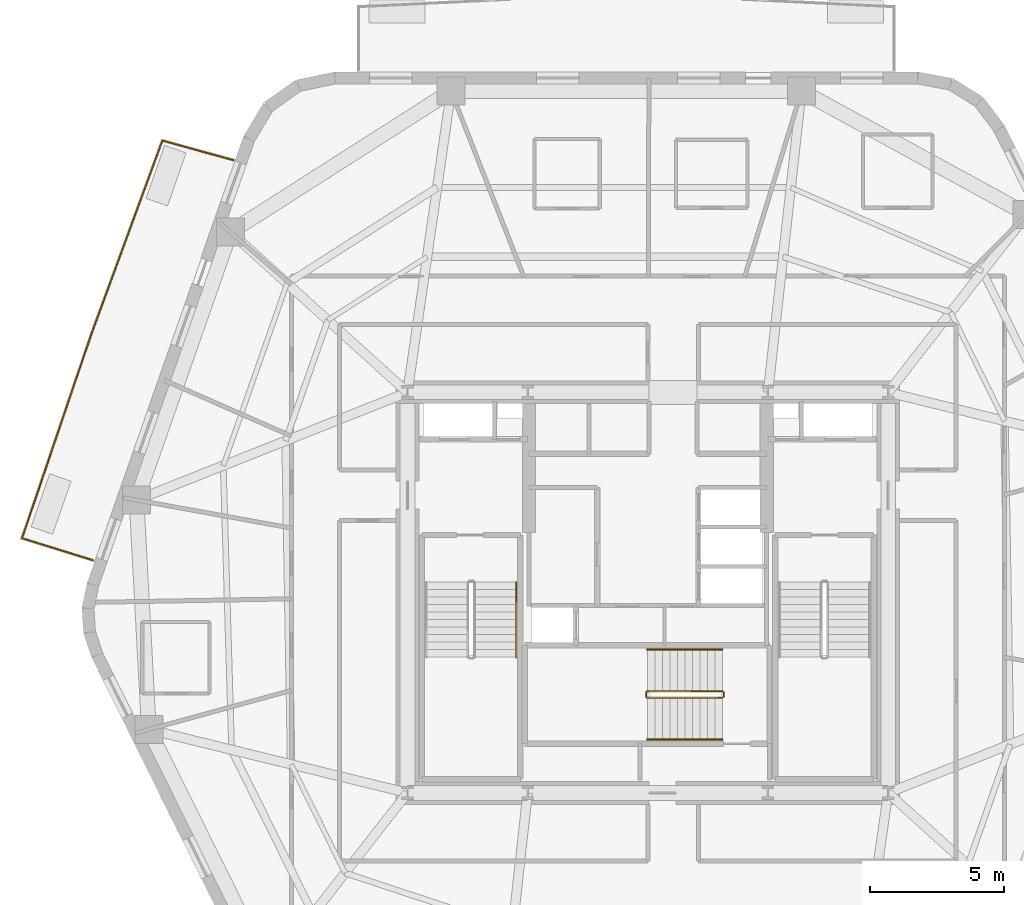
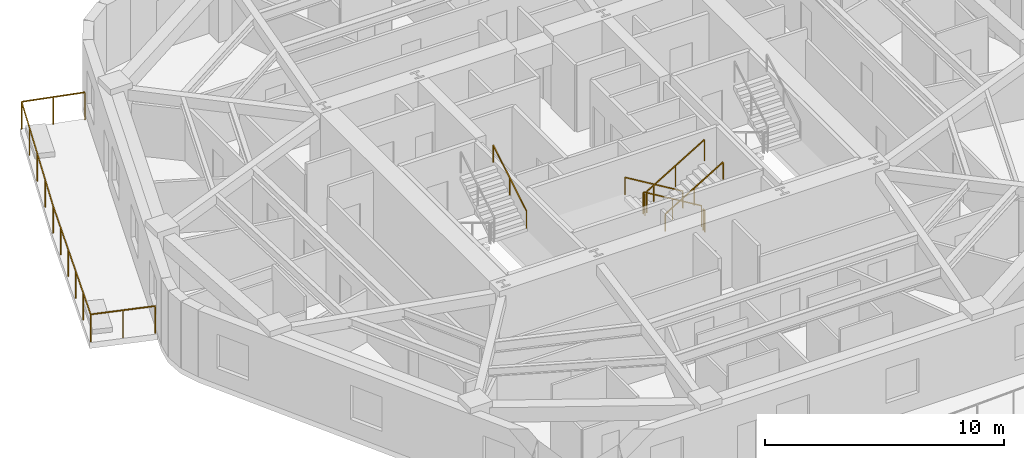
# One storey, part 9 of 11: 8 railings.
"""IFC4 building model written with IfcOpenShell, lengths in metres."""

from ifc_helpers import new_model, si_unit, direction, frame, origin, origin_2d, place, context, subcontext, project, spatial, rectangle, extrude, material, layer, layer_set, type_object, element, save


model = new_model("IFC4")

# Units and contexts
model_context = context("Model", 3, precision=1e-05, world=origin(), true_north=direction((0.0, 1.0)))
body_context = subcontext(model_context, "Body", "Model", "MODEL_VIEW")
ifc_project = project(units=[si_unit("LENGTHUNIT", "METRE"), si_unit("AREAUNIT", "SQUARE_METRE"), si_unit("VOLUMEUNIT", "CUBIC_METRE"), si_unit("PLANEANGLEUNIT", "RADIAN"), si_unit("MASSUNIT", "GRAM", prefix="KILO")], contexts=[model_context])

# Site, building, storey
site_placement = place(None, origin())
site = spatial("IfcSite", under=ifc_project, at=site_placement, CompositionType="ELEMENT")
building_placement = place(site_placement, origin())
building = spatial("IfcBuilding", under=site, at=building_placement, Name="Kilnhurst Terrace Hotel", CompositionType="ELEMENT")
storey_placement = place(building_placement, frame((0.0, 0.0, 162.800048828125)))
storey = spatial("IfcBuildingStorey", under=building, at=storey_placement, Name="L40", CompositionType="ELEMENT", Elevation=162.800048828125)

# Railings
ifc_material_1 = material(Name="Laminated SentryGlas and Stainless Steel AISI 316L Balustrade", Category="steel")
ifc_layer_1 = layer(ifc_material_1, 0.070068359375, Name="Laminated SentryGlas and Stainless Steel AISI 316L Balustrade")
ifc_layer_set_1 = layer_set([ifc_layer_1], Name="Laminated SentryGlas and Stainless Steel AISI 316L Balustrade")
railing_type_1 = type_object("IfcRailingType", Name="RLG-BAL-1420", PredefinedType="BALUSTRADE", material=ifc_layer_set_1)
railing_1_placement = place(storey_placement, frame((-20.783935546875, 1.215087890625, 0.0)))
element("IfcRailing", 1, at=railing_1_placement, inside=storey, type_object=railing_type_1, Name="L40 Exterior Terrace Guardrail BAL-L2B.1", PredefinedType="BALUSTRADE", context=body_context, shape_type="SweptSolid", body=[
    extrude(rectangle(XDim=0.048095703125, YDim=0.048095703125, at=origin_2d()), frame((0.0, 0.0, 1.39599609375), z_axis=(-0.954948187333, 0.29677257203, 0.0), x_axis=(-0.29677257203, -0.954948187333, 0.0)), (0.0, 0.0, 1.0), 2.7763671875),
    extrude(rectangle(XDim=0.048095703125, YDim=0.048095703125, at=origin_2d()), frame((-2.6513671875, 0.823974609375, 1.39599609375), z_axis=(0.321641701575, 0.946861455445, 0.0), x_axis=(-0.946861455445, 0.321641701575, 0.0)), (0.0, 0.0, 1.0), 8.082275390625),
    extrude(rectangle(XDim=0.048095703125, YDim=0.048095703125, at=origin_2d()), frame((-0.0517578125, 8.476806640625, 1.39599609375), z_axis=(0.344704120874, 0.938711387516, 0.0), x_axis=(-0.938711387516, 0.344704120874, 0.0)), (0.0, 0.0, 1.0), 7.7080078125),
    extrude(rectangle(XDim=0.048095703125, YDim=0.048095703125, at=origin_2d()), frame((2.605224609375, 15.71240234375, 1.39599609375), z_axis=(0.964239560757, -0.265032204593, 0.0), x_axis=(0.265032204593, 0.964239560757, 0.0)), (0.0, 0.0, 1.0), 2.739501953125),
    extrude(rectangle(XDim=0.0419921875, YDim=0.0419921875, at=origin_2d()), origin(), (0.0, 0.0, 1.0), 1.371826171875),
    extrude(rectangle(XDim=0.0419921875, YDim=0.0419921875, at=origin_2d()), frame((-1.32568359375, 0.412109375, 0.0)), (0.0, 0.0, 1.0), 1.371826171875),
    extrude(rectangle(XDim=0.0419921875, YDim=0.0419921875, at=origin_2d()), frame((-2.6513671875, 0.823974609375, 0.0)), (0.0, 0.0, 1.0), 1.371826171875),
    extrude(rectangle(XDim=0.0419921875, YDim=0.0419921875, at=origin_2d()), frame((-2.13134765625, 2.3544921875, 0.0)), (0.0, 0.0, 1.0), 1.371826171875),
    extrude(rectangle(XDim=0.0419921875, YDim=0.0419921875, at=origin_2d()), frame((-1.611572265625, 3.885009765625, 0.0)), (0.0, 0.0, 1.0), 1.371826171875),
    extrude(rectangle(XDim=0.0419921875, YDim=0.0419921875, at=origin_2d()), frame((-1.091552734375, 5.415771484375, 0.0)), (0.0, 0.0, 1.0), 1.371826171875),
    extrude(rectangle(XDim=0.0419921875, YDim=0.0419921875, at=origin_2d()), frame((-0.57177734375, 6.9462890625, 0.0)), (0.0, 0.0, 1.0), 1.371826171875),
    extrude(rectangle(XDim=0.0419921875, YDim=0.0419921875, at=origin_2d()), frame((-0.0517578125, 8.476806640625, 0.0)), (0.0, 0.0, 1.0), 1.371826171875),
    extrude(rectangle(XDim=0.0419921875, YDim=0.0419921875, at=origin_2d()), frame((0.612548828125, 10.28564453125, 0.0)), (0.0, 0.0, 1.0), 1.371826171875),
    extrude(rectangle(XDim=0.0419921875, YDim=0.0419921875, at=origin_2d()), frame((1.27685546875, 12.0947265625, 0.0)), (0.0, 0.0, 1.0), 1.371826171875),
    extrude(rectangle(XDim=0.0419921875, YDim=0.0419921875, at=origin_2d()), frame((1.94091796875, 13.903564453125, 0.0)), (0.0, 0.0, 1.0), 1.371826171875),
    extrude(rectangle(XDim=0.0419921875, YDim=0.0419921875, at=origin_2d()), frame((2.605224609375, 15.71240234375, 0.0)), (0.0, 0.0, 1.0), 1.371826171875),
    extrude(rectangle(XDim=0.0419921875, YDim=0.0419921875, at=origin_2d()), frame((3.926025390625, 15.349365234375, 0.0)), (0.0, 0.0, 1.0), 1.371826171875),
    extrude(rectangle(XDim=0.0419921875, YDim=0.0419921875, at=origin_2d()), frame((5.246826171875, 14.986328125, 0.0)), (0.0, 0.0, 1.0), 1.371826171875),
])
ifc_material_2 = material(Name="Powder-Coated Steel ASTM A500 Grade B", Category="steel")
ifc_layer_2 = layer(ifc_material_2, 0.050048828125, Name="Powder-Coated Steel ASTM A500 Grade B")
ifc_layer_set_2 = layer_set([ifc_layer_2], Name="Powder-Coated Steel ASTM A500 Grade B")
railing_type_2 = type_object("IfcRailingType", Name="RLG-ST-GRD-1100", PredefinedType="GUARDRAIL", material=ifc_layer_set_2)
railing_2_placement = place(storey_placement, frame((2.7900390625, -3.68994140625, 0.168212890625)))
element("IfcRailing", 2, at=railing_2_placement, inside=storey, type_object=railing_type_2, Name="L40 ST-3 stair guard 1", PredefinedType="GUARDRAIL", context=body_context, shape_type="SweptSolid", body=[
    extrude(rectangle(XDim=0.048095703125, YDim=0.048095703125, at=origin_2d()), frame((0.0, 0.0, 1.076171875), z_axis=(-0.857275202839, 0.0, 0.514858452973), x_axis=(0.0, -1.0, 0.0)), (0.0, 0.0, 1.0), 3.26611328125),
    extrude(rectangle(XDim=0.0419921875, YDim=0.0419921875, at=origin_2d()), origin(), (0.0, 0.0, 1.0), 1.052001953125),
    extrude(rectangle(XDim=0.0419921875, YDim=0.0419921875, at=origin_2d()), frame((-1.39990234375, 0.0, 0.8408203125)), (0.0, 0.0, 1.0), 1.052001953125),
    extrude(rectangle(XDim=0.0419921875, YDim=0.0419921875, at=origin_2d()), frame((-2.800048828125, 0.0, 1.681640625)), (0.0, 0.0, 1.0), 1.052001953125),
])
railing_3_placement = place(storey_placement, frame((-0.06005859375, -3.739990234375, 1.849853515625)))
element("IfcRailing", 3, at=railing_3_placement, inside=storey, type_object=railing_type_2, Name="L40 ST-3 stair guard 2", PredefinedType="GUARDRAIL", context=body_context, shape_type="SweptSolid", body=[
    extrude(rectangle(XDim=0.048095703125, YDim=0.048095703125, at=origin_2d()), frame((0.0, 0.0, 1.076171875), z_axis=(0.0, -1.0, 0.0), x_axis=(1.0, 0.0, 0.0)), (0.0, 0.0, 1.0), 0.14990234375),
    extrude(rectangle(XDim=0.0419921875, YDim=0.0419921875, at=origin_2d()), origin(), (0.0, 0.0, 1.0), 1.052001953125),
    extrude(rectangle(XDim=0.0419921875, YDim=0.0419921875, at=origin_2d()), frame((0.0, -0.14990234375, 0.0)), (0.0, 0.0, 1.0), 1.052001953125),
])
railing_4_placement = place(storey_placement, frame((-0.010009765625, -3.93994140625, 2.01806640625)))
element("IfcRailing", 4, at=railing_4_placement, inside=storey, type_object=railing_type_2, Name="L40 ST-3 stair guard 3", PredefinedType="GUARDRAIL", context=body_context, shape_type="SweptSolid", body=[
    extrude(rectangle(XDim=0.048095703125, YDim=0.048095703125, at=origin_2d()), frame((0.0, 0.0, 1.076171875), z_axis=(0.857242210791, 0.0, 0.514913383045), x_axis=(0.0, 1.0, 0.0)), (0.0, 0.0, 1.0), 3.266357421875),
    extrude(rectangle(XDim=0.0419921875, YDim=0.0419921875, at=origin_2d()), origin(), (0.0, 0.0, 1.0), 1.052001953125),
    extrude(rectangle(XDim=0.0419921875, YDim=0.0419921875, at=origin_2d()), frame((1.39990234375, 0.0, 0.8408203125)), (0.0, 0.0, 1.0), 1.052001953125),
    extrude(rectangle(XDim=0.0419921875, YDim=0.0419921875, at=origin_2d()), frame((2.800048828125, 0.0, 1.681884765625)), (0.0, 0.0, 1.0), 1.052001953125),
])
railing_5_placement = place(storey_placement, frame((2.840087890625, -3.739990234375, 0.0)))
element("IfcRailing", 5, at=railing_5_placement, inside=storey, type_object=railing_type_2, Name="L40 ST-3 stair guard 4", PredefinedType="GUARDRAIL", context=body_context, shape_type="SweptSolid", body=[
    extrude(rectangle(XDim=0.048095703125, YDim=0.048095703125, at=origin_2d()), frame((0.0, 0.0, 1.076171875), z_axis=(0.0, -1.0, 0.0), x_axis=(1.0, 0.0, 0.0)), (0.0, 0.0, 1.0), 0.14990234375),
    extrude(rectangle(XDim=0.0419921875, YDim=0.0419921875, at=origin_2d()), origin(), (0.0, 0.0, 1.0), 1.052001953125),
    extrude(rectangle(XDim=0.0419921875, YDim=0.0419921875, at=origin_2d()), frame((0.0, -0.14990234375, 0.0)), (0.0, 0.0, 1.0), 1.052001953125),
])
ifc_material_3 = material(Name="Brushed Stainless Steel AISI 304", Category="steel")
ifc_layer_3 = layer(ifc_material_3, 0.048095703125, Name="Brushed Stainless Steel AISI 304")
ifc_layer_set_3 = layer_set([ifc_layer_3], Name="Brushed Stainless Steel AISI 304")
railing_type_3 = type_object("IfcRailingType", Name="RLG-ST-HRL-900", PredefinedType="HANDRAIL", material=ifc_layer_set_3)
railing_6_placement = place(storey_placement, frame((-4.929931640625, -2.409912109375, 2.01806640625)))
element("IfcRailing", 6, at=railing_6_placement, inside=storey, type_object=railing_type_3, Name="L40 ST-1 stair handrail 2", PredefinedType="HANDRAIL", context=body_context, shape_type="SweptSolid", body=[
    extrude(rectangle(XDim=0.048095703125, YDim=0.048095703125, at=origin_2d()), frame((0.0, 0.0, 0.8759765625), z_axis=(0.0, 0.857222391501, 0.514946377315), x_axis=(-1.0, 0.0, 0.0)), (0.0, 0.0, 1.0), 3.26611328125),
    extrude(rectangle(XDim=0.0419921875, YDim=0.0419921875, at=origin_2d()), origin(), (0.0, 0.0, 1.0), 0.851806640625),
    extrude(rectangle(XDim=0.0419921875, YDim=0.0419921875, at=origin_2d()), frame((0.0, 1.39990234375, 0.8408203125)), (0.0, 0.0, 1.0), 0.851806640625),
    extrude(rectangle(XDim=0.0419921875, YDim=0.0419921875, at=origin_2d()), frame((0.0, 2.7998046875, 1.681884765625)), (0.0, 0.0, 1.0), 0.851806640625),
])
railing_7_placement = place(storey_placement, frame((2.7900390625, -2.1298828125, 0.168212890625)))
element("IfcRailing", 7, at=railing_7_placement, inside=storey, type_object=railing_type_3, Name="L40 ST-3 stair handrail 1", PredefinedType="HANDRAIL", context=body_context, shape_type="SweptSolid", body=[
    extrude(rectangle(XDim=0.048095703125, YDim=0.048095703125, at=origin_2d()), frame((0.0, 0.0, 0.8759765625), z_axis=(-0.857275202839, 0.0, 0.514858452973), x_axis=(0.0, -1.0, 0.0)), (0.0, 0.0, 1.0), 3.26611328125),
    extrude(rectangle(XDim=0.0419921875, YDim=0.0419921875, at=origin_2d()), origin(), (0.0, 0.0, 1.0), 0.851806640625),
    extrude(rectangle(XDim=0.0419921875, YDim=0.0419921875, at=origin_2d()), frame((-1.39990234375, 0.0, 0.8408203125)), (0.0, 0.0, 1.0), 0.851806640625),
    extrude(rectangle(XDim=0.0419921875, YDim=0.0419921875, at=origin_2d()), frame((-2.800048828125, 0.0, 1.681640625)), (0.0, 0.0, 1.0), 0.851806640625),
])
railing_8_placement = place(storey_placement, frame((-0.010009765625, -5.5, 2.01806640625)))
element("IfcRailing", 8, at=railing_8_placement, inside=storey, type_object=railing_type_3, Name="L40 ST-3 stair handrail 2", PredefinedType="HANDRAIL", context=body_context, shape_type="SweptSolid", body=[
    extrude(rectangle(XDim=0.048095703125, YDim=0.048095703125, at=origin_2d()), frame((0.0, 0.0, 0.8759765625), z_axis=(0.857242210791, 0.0, 0.514913383045), x_axis=(0.0, 1.0, 0.0)), (0.0, 0.0, 1.0), 3.266357421875),
    extrude(rectangle(XDim=0.0419921875, YDim=0.0419921875, at=origin_2d()), origin(), (0.0, 0.0, 1.0), 0.851806640625),
    extrude(rectangle(XDim=0.0419921875, YDim=0.0419921875, at=origin_2d()), frame((1.39990234375, 0.0, 0.8408203125)), (0.0, 0.0, 1.0), 0.851806640625),
    extrude(rectangle(XDim=0.0419921875, YDim=0.0419921875, at=origin_2d()), frame((2.800048828125, 0.0, 1.681884765625)), (0.0, 0.0, 1.0), 0.851806640625),
])

save(model, "model.ifc")
